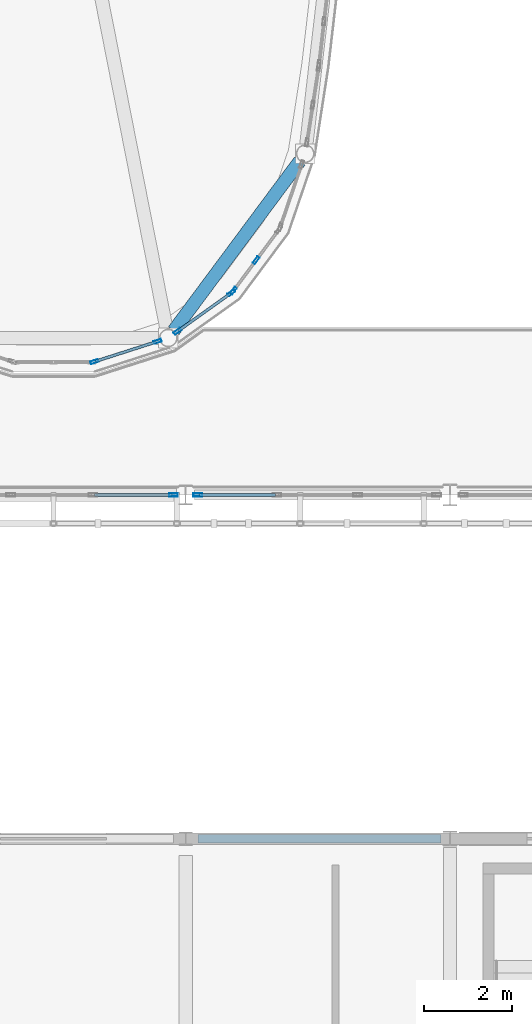
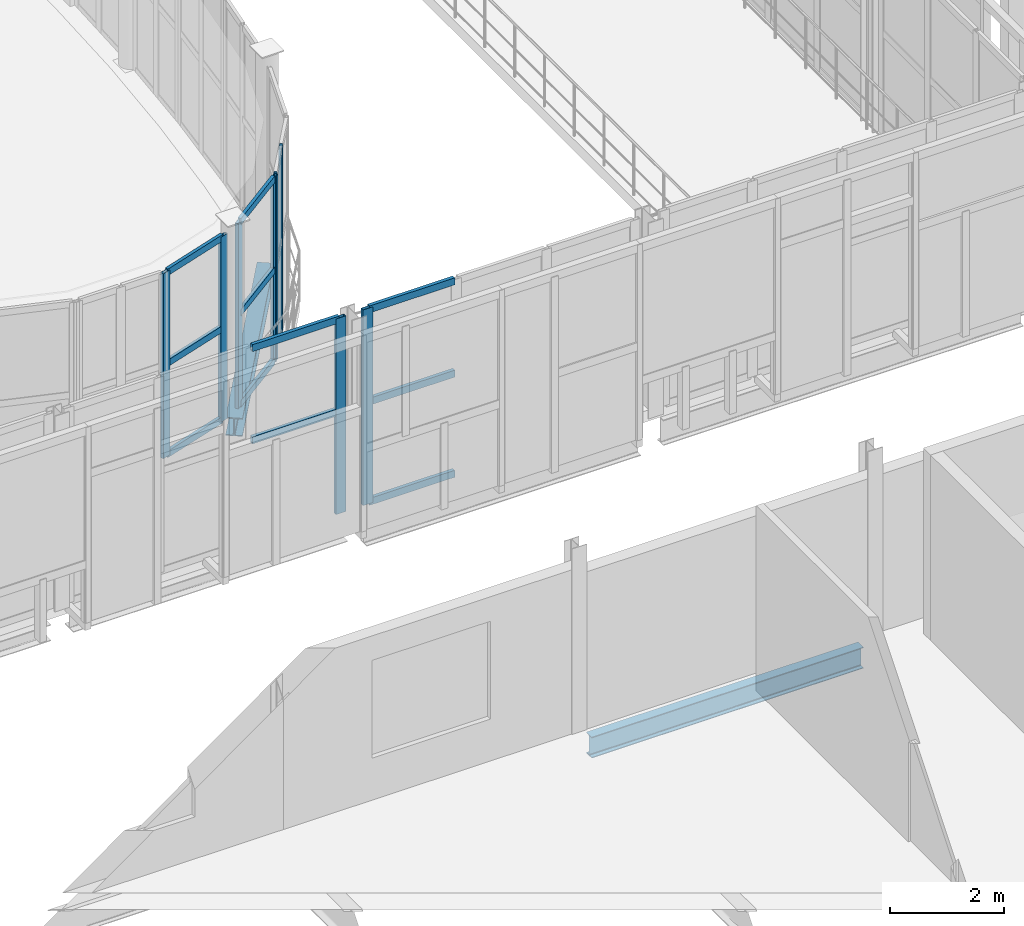
# One storey, part 33 of 121: 19 members, 2 beams, 5 elements without a shape of their own.
"""IFC4 building model written with IfcOpenShell, lengths in metres."""

from ifc_helpers import new_model, si_unit, direction, frame, origin, origin_2d, place, context, subcontext, project, spatial, hollow_rectangle, i_section, extrude, material, layer, layer_set, material_profile, profile_set, type_object, element, aggregate, save


model = new_model("IFC4")

# Units and contexts
model_context = context("Model", 3, precision=1e-05, world=origin(), true_north=direction((0.0, 1.0)))
body_context = subcontext(model_context, "Body", "Model", "MODEL_VIEW")
ifc_project = project(units=[si_unit("LENGTHUNIT", "METRE"), si_unit("AREAUNIT", "SQUARE_METRE"), si_unit("VOLUMEUNIT", "CUBIC_METRE"), si_unit("PLANEANGLEUNIT", "RADIAN"), si_unit("MASSUNIT", "GRAM", prefix="KILO")], contexts=[model_context])

# Site, building, storey
site_placement = place(None, origin())
site = spatial("IfcSite", under=ifc_project, at=site_placement, CompositionType="ELEMENT")
building_placement = place(site_placement, origin())
building = spatial("IfcBuilding", under=site, at=building_placement, Name="Vinh Khe Railworks Police Headquarters", CompositionType="ELEMENT")
storey_placement = place(building_placement, frame((0.0, 0.0, 4.800048828125)))
storey = spatial("IfcBuildingStorey", under=building, at=storey_placement, Name="L01", CompositionType="ELEMENT", Elevation=4.800048828125)

# Curtain wall, members
ifc_material_1 = material(Name="Anodised aluminium and acoustic laminated glass", Category="aluminium")
ifc_layer_1 = layer(ifc_material_1, 0.159912109375)
ifc_layer_set_1 = layer_set([ifc_layer_1], Name="Anodised aluminium and acoustic laminated glass")
curtain_wall_type_1 = type_object("IfcCurtainWallType", Name="CW-DRUM-CHORD", PredefinedType="USERDEFINED", material=ifc_layer_set_1)
curtain_wall_1_placement = place(storey_placement, origin())
curtain_wall_1 = element("IfcCurtainWall", 1, at=curtain_wall_1_placement, inside=storey, type_object=curtain_wall_type_1, Name="Elliptical Command Drum Glazing L01 Chord 33", ObjectType="DRUM FACADE GLAZING", PredefinedType="USERDEFINED")
ifc_material_2 = material(Name="Anodised aluminium 6063-T6", Category="aluminium")
ifc_material_profile_1 = material_profile(ifc_material_2, hollow_rectangle(XDim=0.06494140625, YDim=0.179931640625, WallThickness=0.0048828125, at=origin_2d()), Name="CW-M 65x180x5")
ifc_profile_set_1 = profile_set([ifc_material_profile_1], Name="Anodised aluminium 6063-T6")
member_type_1 = type_object("IfcMemberType", Name="MULL-CWM-02", PredefinedType="MULLION", material=ifc_profile_set_1)
member_1_placement = place(storey_placement, frame((44.1279296875, 28.224365234375, 0.0), z_axis=(0.0, 0.0, 1.0), x_axis=(-0.305575348994, 0.952167898055, 0.0)))
member_1 = element("IfcMember", 2, at=member_1_placement, type_object=member_type_1, Name="CW-02 mullion 1", PredefinedType="MULLION", context=body_context, shape_type="SweptSolid", body=[
    extrude(hollow_rectangle(XDim=0.06494140625, YDim=0.179931640625, WallThickness=0.0048828125, at=origin_2d()), origin(), (0.0, 0.0, 1.0), 3.969970703125),
])
member_2_placement = place(storey_placement, frame((45.5615234375, 28.684326171875, 0.0), z_axis=(0.0, 0.0, 1.0), x_axis=(-0.305575348994, 0.952167898055, 0.0)))
member_2 = element("IfcMember", 3, at=member_2_placement, type_object=member_type_1, Name="CW-02 mullion 2", PredefinedType="MULLION", context=body_context, shape_type="SweptSolid", body=[
    extrude(hollow_rectangle(XDim=0.06494140625, YDim=0.179931640625, WallThickness=0.0048828125, at=origin_2d()), origin(), (0.0, 0.0, 1.0), 3.969970703125),
])

curtain_wall_2_placement = place(storey_placement, origin())
curtain_wall_2 = element("IfcCurtainWall", 4, at=curtain_wall_2_placement, inside=storey, type_object=curtain_wall_type_1, Name="Elliptical Command Drum Glazing L01 Chord 34", ObjectType="DRUM FACADE GLAZING", PredefinedType="USERDEFINED")
member_3_placement = place(storey_placement, frame((46.012939453125, 28.911376953125, 0.0), z_axis=(0.0, 0.0, 1.0), x_axis=(-0.581916726344, 0.813248377558, 0.0)))
member_3 = element("IfcMember", 5, at=member_3_placement, type_object=member_type_1, Name="CW-02 mullion 1", PredefinedType="MULLION", context=body_context, shape_type="SweptSolid", body=[
    extrude(hollow_rectangle(XDim=0.06494140625, YDim=0.179931640625, WallThickness=0.0048828125, at=origin_2d()), origin(), (0.0, 0.0, 1.0), 3.969970703125),
])
member_4_placement = place(storey_placement, frame((47.237548828125, 29.78759765625, 0.0), z_axis=(0.0, 0.0, 1.0), x_axis=(-0.581916726344, 0.813248377558, 0.0)))
member_4 = element("IfcMember", 6, at=member_4_placement, type_object=member_type_1, Name="CW-02 mullion 2", PredefinedType="MULLION", context=body_context, shape_type="SweptSolid", body=[
    extrude(hollow_rectangle(XDim=0.06494140625, YDim=0.179931640625, WallThickness=0.0048828125, at=origin_2d()), origin(), (0.0, 0.0, 1.0), 3.969970703125),
])

curtain_wall_3_placement = place(storey_placement, origin())
curtain_wall_3 = element("IfcCurtainWall", 7, at=curtain_wall_3_placement, inside=storey, type_object=curtain_wall_type_1, Name="Elliptical Command Drum Glazing L01 Chord 35", ObjectType="DRUM FACADE GLAZING", PredefinedType="USERDEFINED")
member_5_placement = place(storey_placement, frame((47.283447265625, 29.83251953125, 0.0), z_axis=(0.0, 0.0, 1.0), x_axis=(-0.802591949394, 0.596528425784, 0.0)))
member_5 = element("IfcMember", 8, at=member_5_placement, type_object=member_type_1, Name="CW-02 mullion 1", PredefinedType="MULLION", context=body_context, shape_type="SweptSolid", body=[
    extrude(hollow_rectangle(XDim=0.06494140625, YDim=0.179931640625, WallThickness=0.0048828125, at=origin_2d()), origin(), (0.0, 0.0, 1.0), 3.969970703125),
])
member_6_placement = place(storey_placement, frame((47.799072265625, 30.5263671875, 0.0), z_axis=(0.0, 0.0, 1.0), x_axis=(-0.802591949394, 0.596528425784, 0.0)))
member_6 = element("IfcMember", 9, at=member_6_placement, type_object=member_type_1, Name="CW-02 mullion 2", PredefinedType="MULLION", context=body_context, shape_type="SweptSolid", body=[
    extrude(hollow_rectangle(XDim=0.06494140625, YDim=0.179931640625, WallThickness=0.0048828125, at=origin_2d()), origin(), (0.0, 0.0, 1.0), 3.969970703125),
])
aggregate(curtain_wall_3, [member_5, member_6])

# Curtain wall, member
ifc_material_3 = material(Name="Anodised aluminium and low-iron glass", Category="aluminium")
ifc_layer_2 = layer(ifc_material_3, 0.179931640625)
ifc_layer_set_2 = layer_set([ifc_layer_2], Name="Anodised aluminium and low-iron glass")
curtain_wall_type_2 = type_object("IfcCurtainWallType", Name="CW-CUBE-UNIT", PredefinedType="USERDEFINED", material=ifc_layer_set_2)
curtain_wall_4_placement = place(storey_placement, origin())
curtain_wall_4 = element("IfcCurtainWall", 10, at=curtain_wall_4_placement, inside=storey, type_object=curtain_wall_type_2, Name="Entrance Hall Curtain Wall L01 S-3", ObjectType="UNITISED GLAZING", PredefinedType="USERDEFINED")
ifc_material_profile_2 = material_profile(ifc_material_2, hollow_rectangle(XDim=0.070068359375, YDim=0.199951171875, WallThickness=0.0048828125, at=origin_2d()), Name="CW-M 70x200x5")
ifc_profile_set_2 = profile_set([ifc_material_profile_2], Name="Anodised aluminium 6063-T6")
member_type_2 = type_object("IfcMemberType", Name="MULL-CWM-03", PredefinedType="MULLION", material=ifc_profile_set_2)
member_7_placement = place(storey_placement, frame((45.925048828125, 25.199951171875, 0.0), z_axis=(0.0, 0.0, 1.0), x_axis=(0.0, 1.0, 0.0)))
member_7 = element("IfcMember", 11, at=member_7_placement, type_object=member_type_2, Name="CW-01 mullion 4", PredefinedType="MULLION", context=body_context, shape_type="SweptSolid", body=[
    extrude(hollow_rectangle(XDim=0.070068359375, YDim=0.199951171875, WallThickness=0.0048828125, at=origin_2d()), origin(), (0.0, 0.0, 1.0), 4.199951171875),
])

curtain_wall_5_placement = place(storey_placement, origin())
curtain_wall_5 = element("IfcCurtainWall", 12, at=curtain_wall_5_placement, inside=storey, type_object=curtain_wall_type_2, Name="Entrance Hall Curtain Wall L01 S-4", ObjectType="UNITISED GLAZING", PredefinedType="USERDEFINED")
member_8_placement = place(storey_placement, frame((46.47509765625, 25.199951171875, 0.0), z_axis=(0.0, 0.0, 1.0), x_axis=(0.0, 1.0, 0.0)))
member_8 = element("IfcMember", 13, at=member_8_placement, type_object=member_type_2, Name="CW-01 mullion 1", PredefinedType="MULLION", context=body_context, shape_type="SweptSolid", body=[
    extrude(hollow_rectangle(XDim=0.070068359375, YDim=0.199951171875, WallThickness=0.0048828125, at=origin_2d()), origin(), (0.0, 0.0, 1.0), 4.199951171875),
])

# Beams
ifc_material_4 = material(Name="Steel S355JR", Category="steel")
ifc_material_profile_3 = material_profile(ifc_material_4, i_section(OverallWidth=0.300048828125, OverallDepth=0.389892578125, WebThickness=0.010986328125, FlangeThickness=0.01904296875, FilletRadius=0.027099609375, at=origin_2d()), Name="HEA 400")
ifc_profile_set_3 = profile_set([ifc_material_profile_3], Name="Steel S355JR")
beam_type_1 = type_object("IfcBeamType", Name="Steel Girder HEA 400", PredefinedType="BEAM", material=ifc_profile_set_3)
beam_1_placement = place(storey_placement, frame((45.929443359375, 28.9296875, -0.43505859375), z_axis=(0.596522783683, 0.802596142868, 0.0), x_axis=(-0.802596142868, 0.596522783683, 0.0)))
element("IfcBeam", 14, at=beam_1_placement, inside=storey, type_object=beam_type_1, Name="Drum Ring Girder BM-L01-DRUM-SB-14-0718", PredefinedType="BEAM", context=body_context, shape_type="SweptSolid", body=[
    extrude(i_section(OverallWidth=0.300048828125, OverallDepth=0.389892578125, WebThickness=0.010986328125, FlangeThickness=0.01904296875, FilletRadius=0.027099609375, at=origin_2d()), origin(), (0.0, 0.0, 1.0), 4.79345703125),
])
ifc_material_profile_4 = material_profile(ifc_material_4, i_section(OverallWidth=0.18994140625, OverallDepth=0.449951171875, WebThickness=0.009521484375, FlangeThickness=0.0146484375, FilletRadius=0.02099609375, at=origin_2d()), Name="IPE 450")
ifc_profile_set_4 = profile_set([ifc_material_profile_4], Name="Steel S355JR")
beam_type_2 = type_object("IfcBeamType", Name="Steel Girder IPE 450", PredefinedType="BEAM", material=ifc_profile_set_4)
beam_2_placement = place(storey_placement, frame((46.47998046875, 17.39990234375, -0.465087890625), z_axis=(1.0, 0.0, 0.0), x_axis=(0.0, 1.0, 0.0)))
element("IfcBeam", 15, at=beam_2_placement, inside=storey, type_object=beam_type_2, Name="Girder BM-L01-EW-SB-20-0432", PredefinedType="BEAM", context=body_context, shape_type="SweptSolid", body=[
    extrude(i_section(OverallWidth=0.18994140625, OverallDepth=0.449951171875, WebThickness=0.009521484375, FlangeThickness=0.0146484375, FilletRadius=0.02099609375, at=origin_2d()), origin(), (0.0, 0.0, 1.0), 5.51513671875),
])

# Member
ifc_material_profile_5 = material_profile(ifc_material_2, hollow_rectangle(XDim=0.06494140625, YDim=0.139892578125, WallThickness=0.00390625, at=origin_2d()), Name="CW-T 65x140x4")
ifc_profile_set_5 = profile_set([ifc_material_profile_5], Name="Anodised aluminium 6063-T6")
member_type_3 = type_object("IfcMemberType", Name="TRAN-CWT-02", PredefinedType="USERDEFINED", material=ifc_profile_set_5)
member_9_placement = place(storey_placement, frame((44.158935546875, 28.234130859375, 0.032470703125), z_axis=(0.952132526267, 0.305685545005, 0.0), x_axis=(-0.305685545005, 0.952132526267, 0.0)))
member_9 = element("IfcMember", 16, at=member_9_placement, type_object=member_type_3, Name="CW-02 transom 1.1", ObjectType="TRANSOM", PredefinedType="USERDEFINED", context=body_context, shape_type="SweptSolid", body=[
    extrude(hollow_rectangle(XDim=0.06494140625, YDim=0.139892578125, WallThickness=0.00390625, at=origin_2d()), origin(), (0.0, 0.0, 1.0), 1.440673828125),
])

member_10_placement = place(storey_placement, frame((44.158935546875, 28.234130859375, 1.98486328125), z_axis=(0.952132526267, 0.305685545005, 0.0), x_axis=(-0.305685545005, 0.952132526267, 0.0)))
member_10 = element("IfcMember", 17, at=member_10_placement, type_object=member_type_3, Name="CW-02 transom 1.2", ObjectType="TRANSOM", PredefinedType="USERDEFINED", context=body_context, shape_type="SweptSolid", body=[
    extrude(hollow_rectangle(XDim=0.06494140625, YDim=0.139892578125, WallThickness=0.00390625, at=origin_2d()), origin(), (0.0, 0.0, 1.0), 1.440673828125),
])

member_11_placement = place(storey_placement, frame((44.158935546875, 28.234130859375, 3.9375), z_axis=(0.952132526267, 0.305685545005, 0.0), x_axis=(-0.305685545005, 0.952132526267, 0.0)))
member_11 = element("IfcMember", 18, at=member_11_placement, type_object=member_type_3, Name="CW-02 transom 1.3", ObjectType="TRANSOM", PredefinedType="USERDEFINED", context=body_context, shape_type="SweptSolid", body=[
    extrude(hollow_rectangle(XDim=0.06494140625, YDim=0.139892578125, WallThickness=0.00390625, at=origin_2d()), origin(), (0.0, 0.0, 1.0), 1.440673828125),
])

aggregate(curtain_wall_1, [member_1, member_2, member_9, member_10, member_11])

member_12_placement = place(storey_placement, frame((46.03955078125, 28.93017578125, 0.032470703125), z_axis=(0.813240827881, 0.581927277129, 0.0), x_axis=(-0.581927277129, 0.813240827881, 0.0)))
member_12 = element("IfcMember", 19, at=member_12_placement, type_object=member_type_3, Name="CW-02 transom 1.1", ObjectType="TRANSOM", PredefinedType="USERDEFINED", context=body_context, shape_type="SweptSolid", body=[
    extrude(hollow_rectangle(XDim=0.06494140625, YDim=0.139892578125, WallThickness=0.00390625, at=origin_2d()), origin(), (0.0, 0.0, 1.0), 1.440673828125),
])

member_13_placement = place(storey_placement, frame((46.03955078125, 28.93017578125, 1.98486328125), z_axis=(0.813240827881, 0.581927277129, 0.0), x_axis=(-0.581927277129, 0.813240827881, 0.0)))
member_13 = element("IfcMember", 20, at=member_13_placement, type_object=member_type_3, Name="CW-02 transom 1.2", ObjectType="TRANSOM", PredefinedType="USERDEFINED", context=body_context, shape_type="SweptSolid", body=[
    extrude(hollow_rectangle(XDim=0.06494140625, YDim=0.139892578125, WallThickness=0.00390625, at=origin_2d()), origin(), (0.0, 0.0, 1.0), 1.440673828125),
])

member_14_placement = place(storey_placement, frame((46.03955078125, 28.93017578125, 3.9375), z_axis=(0.813240827881, 0.581927277129, 0.0), x_axis=(-0.581927277129, 0.813240827881, 0.0)))
member_14 = element("IfcMember", 21, at=member_14_placement, type_object=member_type_3, Name="CW-02 transom 1.3", ObjectType="TRANSOM", PredefinedType="USERDEFINED", context=body_context, shape_type="SweptSolid", body=[
    extrude(hollow_rectangle(XDim=0.06494140625, YDim=0.139892578125, WallThickness=0.00390625, at=origin_2d()), origin(), (0.0, 0.0, 1.0), 1.440673828125),
])

aggregate(curtain_wall_2, [member_3, member_4, member_12, member_13, member_14])

ifc_material_profile_6 = material_profile(ifc_material_2, hollow_rectangle(XDim=0.070068359375, YDim=0.14990234375, WallThickness=0.0048828125, at=origin_2d()), Name="CW-T 70x150x5")
ifc_profile_set_6 = profile_set([ifc_material_profile_6], Name="Anodised aluminium 6063-T6")
member_type_4 = type_object("IfcMemberType", Name="TRAN-CWT-03", PredefinedType="USERDEFINED", material=ifc_profile_set_6)
member_15_placement = place(storey_placement, frame((44.131591796875, 25.199951171875, 2.183837890625), z_axis=(1.0, 0.0, 0.0), x_axis=(0.0, 1.0, 0.0)))
member_15 = element("IfcMember", 22, at=member_15_placement, type_object=member_type_4, Name="CW-01 transom 3.2", ObjectType="TRANSOM", PredefinedType="USERDEFINED", context=body_context, shape_type="SweptSolid", body=[
    extrude(hollow_rectangle(XDim=0.070068359375, YDim=0.14990234375, WallThickness=0.0048828125, at=origin_2d()), origin(), (0.0, 0.0, 1.0), 1.75830078125),
])

member_16_placement = place(storey_placement, frame((44.131591796875, 25.199951171875, 4.1650390625), z_axis=(1.0, 0.0, 0.0), x_axis=(0.0, 1.0, 0.0)))
member_16 = element("IfcMember", 23, at=member_16_placement, type_object=member_type_4, Name="CW-01 transom 3.3", ObjectType="TRANSOM", PredefinedType="USERDEFINED", context=body_context, shape_type="SweptSolid", body=[
    extrude(hollow_rectangle(XDim=0.070068359375, YDim=0.14990234375, WallThickness=0.0048828125, at=origin_2d()), origin(), (0.0, 0.0, 1.0), 1.75830078125),
])

aggregate(curtain_wall_4, [member_7, member_15, member_16])

member_17_placement = place(storey_placement, frame((46.510009765625, 25.199951171875, 0.034912109375), z_axis=(1.0, 0.0, 0.0), x_axis=(0.0, 1.0, 0.0)))
member_17 = element("IfcMember", 24, at=member_17_placement, type_object=member_type_4, Name="CW-01 transom 1.1", ObjectType="TRANSOM", PredefinedType="USERDEFINED", context=body_context, shape_type="SweptSolid", body=[
    extrude(hollow_rectangle(XDim=0.070068359375, YDim=0.14990234375, WallThickness=0.0048828125, at=origin_2d()), origin(), (0.0, 0.0, 1.0), 1.7265625),
])

member_18_placement = place(storey_placement, frame((46.510009765625, 25.199951171875, 2.183837890625), z_axis=(1.0, 0.0, 0.0), x_axis=(0.0, 1.0, 0.0)))
member_18 = element("IfcMember", 25, at=member_18_placement, type_object=member_type_4, Name="CW-01 transom 1.2", ObjectType="TRANSOM", PredefinedType="USERDEFINED", context=body_context, shape_type="SweptSolid", body=[
    extrude(hollow_rectangle(XDim=0.070068359375, YDim=0.14990234375, WallThickness=0.0048828125, at=origin_2d()), origin(), (0.0, 0.0, 1.0), 1.7265625),
])

member_19_placement = place(storey_placement, frame((46.510009765625, 25.199951171875, 4.1650390625), z_axis=(1.0, 0.0, 0.0), x_axis=(0.0, 1.0, 0.0)))
member_19 = element("IfcMember", 26, at=member_19_placement, type_object=member_type_4, Name="CW-01 transom 1.3", ObjectType="TRANSOM", PredefinedType="USERDEFINED", context=body_context, shape_type="SweptSolid", body=[
    extrude(hollow_rectangle(XDim=0.070068359375, YDim=0.14990234375, WallThickness=0.0048828125, at=origin_2d()), origin(), (0.0, 0.0, 1.0), 1.7265625),
])

aggregate(curtain_wall_5, [member_8, member_17, member_18, member_19])

save(model, "model.ifc")
